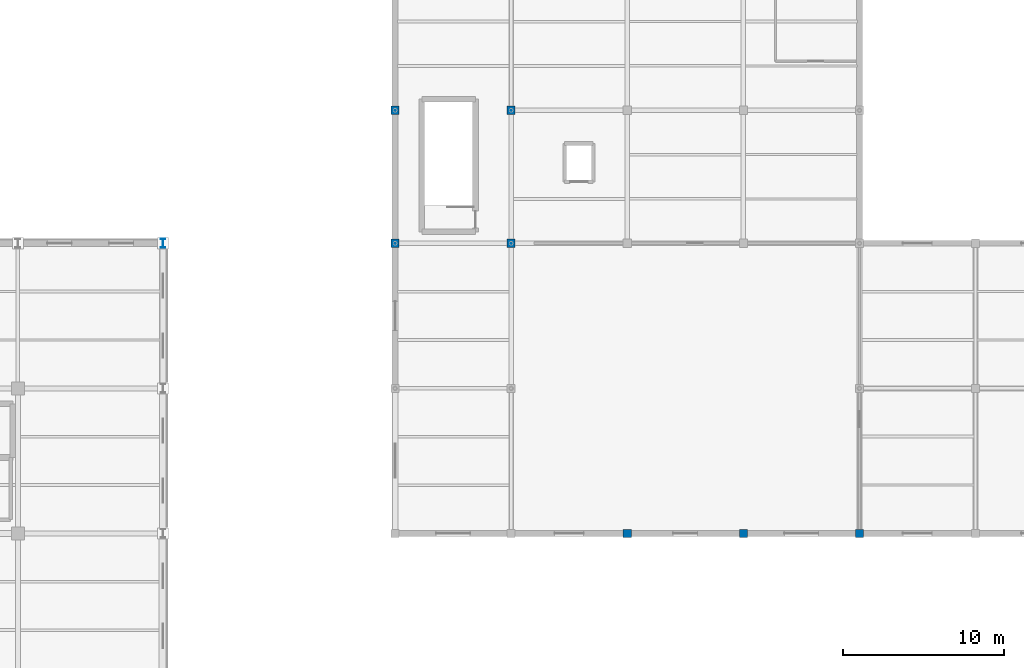
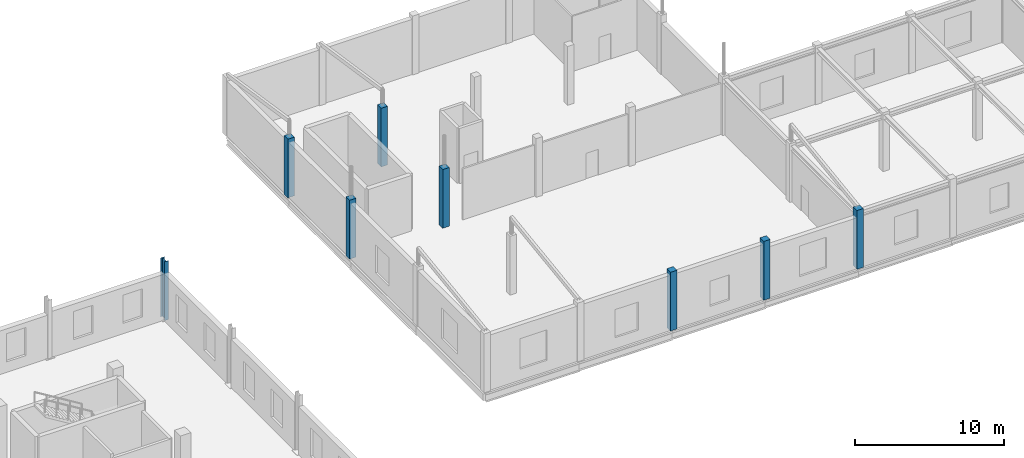
# One storey, part 4 of 35: 8 columns.
"""IFC4 building model written with IfcOpenShell, lengths in metres."""

from ifc_helpers import new_model, si_unit, direction, frame, origin, origin_2d, place, context, subcontext, project, spatial, rectangle, i_section, extrude, material, material_profile, profile_set, type_object, element, save


model = new_model("IFC4")

# Units and contexts
model_context = context("Model", 3, precision=1e-05, world=origin(), true_north=direction((0.0, 1.0)))
body_context = subcontext(model_context, "Body", "Model", "MODEL_VIEW")
ifc_project = project(units=[si_unit("LENGTHUNIT", "METRE"), si_unit("AREAUNIT", "SQUARE_METRE"), si_unit("VOLUMEUNIT", "CUBIC_METRE"), si_unit("PLANEANGLEUNIT", "RADIAN"), si_unit("MASSUNIT", "GRAM", prefix="KILO")], contexts=[model_context])

# Site, building, storey
site_placement = place(None, origin())
site = spatial("IfcSite", under=ifc_project, at=site_placement, CompositionType="ELEMENT")
building_placement = place(site_placement, origin())
building = spatial("IfcBuilding", under=site, at=building_placement, Name="Sundgate Opera House", CompositionType="ELEMENT")
storey_placement = place(building_placement, frame((0.0, 0.0, 21.60009765625)))
storey = spatial("IfcBuildingStorey", under=building, at=storey_placement, Name="L04", CompositionType="ELEMENT", Elevation=21.60009765625)

# Columns
ifc_material_1 = material(Name="Concrete C35/45", Category="concrete")
ifc_material_profile_1 = material_profile(ifc_material_1, rectangle(XDim=0.5, YDim=0.5, at=origin_2d()), Name="RC 500x500")
ifc_profile_set_1 = profile_set([ifc_material_profile_1], Name="Concrete C35/45")
column_type_1 = type_object("IfcColumnType", Name="CL-RC-500", PredefinedType="COLUMN", material=ifc_profile_set_1)
for number, where, z_axis, x_axis, name in (
    (1, (95.39990234375, 87.0, 0.0), (0.0, 0.0, 1.0), (1.0, 0.0, 0.0), "L04 Column C0673"),
    (2, (95.39990234375, 95.25, 0.0), (0.0, 0.0, 1.0), (1.0, 0.0, 0.0), "L04 Column C0679"),
    (3, (102.60009765625, 87.0, 0.0), (0.0, 0.0, 1.0), (1.0, 0.0, 0.0), "L04 Column C0737"),
    (4, (102.60009765625, 95.25, 0.0), (0.0, 0.0, 1.0), (1.0, 0.0, 0.0), "L04 Column C0743"),
    (5, (109.800048828125, 69.0, 0.0), (0.0, 0.0, 1.0), (1.0, 0.0, 0.0), "L04 Column C0789"),
    (6, (117.0, 69.0, 0.0), (0.0, 0.0, 1.0), (1.0, 0.0, 0.0), "L04 Column C0853"),
    (7, (124.199951171875, 69.0, 0.0), (0.0, 0.0, 1.0), (1.0, 0.0, 0.0), "L04 Column C0913"),
):
    element("IfcColumn", number, at=place(storey_placement, frame(where, z_axis=z_axis, x_axis=x_axis)), inside=storey, type_object=column_type_1, Name=name, PredefinedType="COLUMN", context=body_context, shape_type="SweptSolid", body=[
        extrude(rectangle(XDim=0.5, YDim=0.5, at=origin_2d()), origin(), (0.0, 0.0, 1.0), 4.7998046875),
    ])
ifc_material_2 = material(Name="Steel S355J2", Category="steel")
ifc_material_profile_2 = material_profile(ifc_material_2, i_section(OverallWidth=0.300048828125, OverallDepth=0.550048828125, WebThickness=0.014892578125, FlangeThickness=0.029052734375, at=origin_2d()), Name="HEB 550")
ifc_profile_set_2 = profile_set([ifc_material_profile_2], Name="Steel S355J2")
column_type_2 = type_object("IfcColumnType", Name="CL-STL-550", PredefinedType="COLUMN", material=ifc_profile_set_2)
column_placement = place(storey_placement, frame((81.0, 87.0, 0.0), z_axis=(0.0, 0.0, 1.0), x_axis=(1.0, 0.0, 0.0)))
element("IfcColumn", 8, at=column_placement, inside=storey, type_object=column_type_2, Name="L04 Column C0565", PredefinedType="COLUMN", context=body_context, shape_type="SweptSolid", body=[
    extrude(i_section(OverallWidth=0.300048828125, OverallDepth=0.550048828125, WebThickness=0.014892578125, FlangeThickness=0.029052734375, at=origin_2d()), origin(), (0.0, 0.0, 1.0), 4.7998046875),
])

save(model, "model.ifc")
